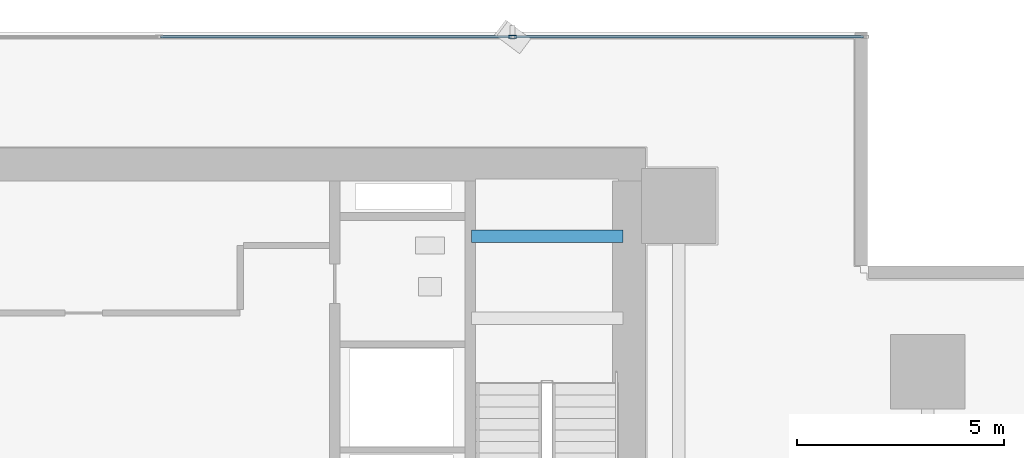
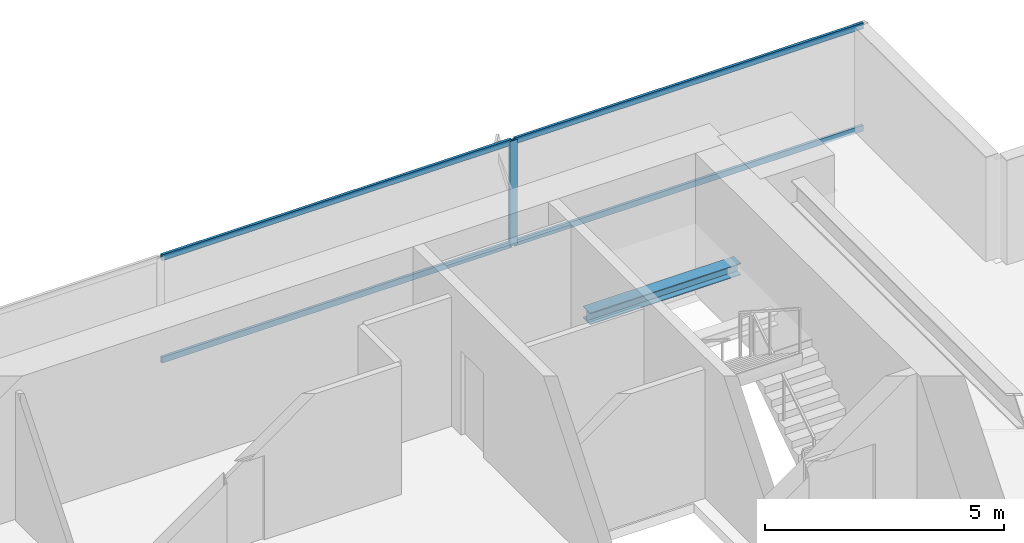
# One storey, part 22 of 33: 5 members, 1 beam, 1 element without a shape of its own.
"""IFC4 building model written with IfcOpenShell, lengths in metres."""

from ifc_helpers import new_model, si_unit, direction, frame, origin, origin_2d, place, context, subcontext, project, spatial, hollow_rectangle, i_section, extrude, source, transform, mapped, material, layer, layer_set, material_profile, profile_set, type_object, element, aggregate, save


model = new_model("IFC4")

# Units and contexts
model_context = context("Model", 3, precision=1e-05, world=origin(), true_north=direction((0.0, 1.0)))
body_context = subcontext(model_context, "Body", "Model", "MODEL_VIEW")
ifc_project = project(units=[si_unit("LENGTHUNIT", "METRE"), si_unit("AREAUNIT", "SQUARE_METRE"), si_unit("VOLUMEUNIT", "CUBIC_METRE"), si_unit("PLANEANGLEUNIT", "RADIAN"), si_unit("MASSUNIT", "GRAM", prefix="KILO")], contexts=[model_context])

# Site, building, storey
site_placement = place(None, origin())
site = spatial("IfcSite", under=ifc_project, at=site_placement, CompositionType="ELEMENT")
building_placement = place(site_placement, origin())
building = spatial("IfcBuilding", under=site, at=building_placement, Name="Sumidabori Civic Tower", CompositionType="ELEMENT")
storey_placement = place(building_placement, frame((0.0, 0.0, 66.800048828125)))
storey = spatial("IfcBuildingStorey", under=building, at=storey_placement, Name="L17", CompositionType="ELEMENT", Elevation=66.800048828125)

# Beam
ifc_material_1 = material(Name="Steel SN490", Category="steel")
ifc_material_profile_1 = material_profile(ifc_material_1, i_section(OverallWidth=0.300048828125, OverallDepth=0.300048828125, WebThickness=0.010986328125, FlangeThickness=0.01904296875, at=origin_2d()), Name="HE 300 B")
ifc_profile_set_1 = profile_set([ifc_material_profile_1], Name="Steel SN490")
beam_type = type_object("IfcBeamType", Name="BM-LDG-300", PredefinedType="BEAM", material=ifc_profile_set_1)
shared_shape_1 = source(origin(), body_context, "Body", "SweptSolid", [
    extrude(i_section(OverallWidth=0.300048828125, OverallDepth=0.300048828125, WebThickness=0.010986328125, FlangeThickness=0.01904296875, at=origin_2d()), origin(), (0.0, 0.0, 1.0), 3.64990234375),
])
beam_placement = place(storey_placement, frame((11.800048828125, 22.069580078125, 1.449951171875), z_axis=(1.0, 0.0, 0.0), x_axis=(0.0, 1.0, 0.0)))
element("IfcBeam", 1, at=beam_placement, inside=storey, type_object=beam_type, Name="Stair ST-2 Landing Trimmer Beam L17-1B", PredefinedType="BEAM", context=body_context, shape_type="MappedRepresentation", body=[
    mapped(shared_shape_1, transform((0.0, 0.0, 0.0), x_axis=(1.0, 0.0, 0.0), y_axis=(0.0, 1.0, 0.0), z_axis=(0.0, 0.0, 1.0), scale=1.0)),
])

# Curtain wall, members
ifc_material_2 = material(Name="Anodised Bronze Aluminium AW-6063-T6", Category="aluminium")
ifc_layer = layer(ifc_material_2, 0.179931640625, Name="Anodised Bronze Aluminium AW-6063-T6")
ifc_layer_set = layer_set([ifc_layer], Name="Anodised Bronze Aluminium AW-6063-T6")
curtain_wall_type = type_object("IfcCurtainWallType", Name="CW-SYS-2", PredefinedType="NOTDEFINED", material=ifc_layer_set)
curtain_wall_placement = place(storey_placement, origin())
curtain_wall = element("IfcCurtainWall", 2, at=curtain_wall_placement, inside=storey, type_object=curtain_wall_type, Name="Curtain Wall CW:L17:R07", PredefinedType="NOTDEFINED")
ifc_material_profile_2 = material_profile(ifc_material_2, hollow_rectangle(XDim=0.06494140625, YDim=0.14990234375, WallThickness=0.0048828125, at=origin_2d()), Name="ALU TRANSOM 150x65")
ifc_profile_set_2 = profile_set([ifc_material_profile_2], Name="Anodised Bronze Aluminium AW-6063-T6")
member_type_1 = type_object("IfcMemberType", Name="CW-TRN-150", PredefinedType="USERDEFINED", material=ifc_profile_set_2)
shared_shape_2 = source(origin(), body_context, "Body", "SweptSolid", [
    extrude(hollow_rectangle(XDim=0.06494140625, YDim=0.14990234375, WallThickness=0.0048828125, at=origin_2d()), origin(), (0.0, 0.0, 1.0), 8.423095703125),
])
member_1_placement = place(storey_placement, frame((21.25, 26.8798828125, 0.032470703125), z_axis=(-1.0, 0.0, 0.0), x_axis=(0.0, -1.0, 0.0)))
member_1 = element("IfcMember", 3, at=member_1_placement, type_object=member_type_1, Name="CW-2 transom 1.1", ObjectType="TRANSOM", PredefinedType="USERDEFINED", context=body_context, shape_type="MappedRepresentation", body=[
    mapped(shared_shape_2, transform((0.0, 0.0, 0.0), x_axis=(1.0, 0.0, 0.0), y_axis=(0.0, 1.0, 0.0), z_axis=(0.0, 0.0, 1.0), scale=1.0)),
])
member_2_placement = place(storey_placement, frame((21.25, 26.8798828125, 2.6474609375), z_axis=(-1.0, 0.0, 0.0), x_axis=(0.0, -1.0, 0.0)))
member_2 = element("IfcMember", 4, at=member_2_placement, type_object=member_type_1, Name="CW-2 transom 1.2", ObjectType="TRANSOM", PredefinedType="USERDEFINED", context=body_context, shape_type="MappedRepresentation", body=[
    mapped(shared_shape_2, transform((0.0, 0.0, 0.0), x_axis=(1.0, 0.0, 0.0), y_axis=(0.0, 1.0, 0.0), z_axis=(0.0, 0.0, 1.0), scale=1.0)),
])
shared_shape_3 = source(origin(), body_context, "Body", "SweptSolid", [
    extrude(hollow_rectangle(XDim=0.06494140625, YDim=0.14990234375, WallThickness=0.0048828125, at=origin_2d()), origin(), (0.0, 0.0, 1.0), 8.4580078125),
])
member_3_placement = place(storey_placement, frame((12.757080078125, 26.8798828125, 0.032470703125), z_axis=(-1.0, 0.0, 0.0), x_axis=(0.0, -1.0, 0.0)))
member_3 = element("IfcMember", 5, at=member_3_placement, type_object=member_type_1, Name="CW-2 transom 2.1", ObjectType="TRANSOM", PredefinedType="USERDEFINED", context=body_context, shape_type="MappedRepresentation", body=[
    mapped(shared_shape_3, transform((0.0, 0.0, 0.0), x_axis=(1.0, 0.0, 0.0), y_axis=(0.0, 1.0, 0.0), z_axis=(0.0, 0.0, 1.0), scale=1.0)),
])
member_4_placement = place(storey_placement, frame((12.757080078125, 26.8798828125, 2.6474609375), z_axis=(-1.0, 0.0, 0.0), x_axis=(0.0, -1.0, 0.0)))
member_4 = element("IfcMember", 6, at=member_4_placement, type_object=member_type_1, Name="CW-2 transom 2.2", ObjectType="TRANSOM", PredefinedType="USERDEFINED", context=body_context, shape_type="MappedRepresentation", body=[
    mapped(shared_shape_3, transform((0.0, 0.0, 0.0), x_axis=(1.0, 0.0, 0.0), y_axis=(0.0, 1.0, 0.0), z_axis=(0.0, 0.0, 1.0), scale=1.0)),
])
ifc_material_profile_3 = material_profile(ifc_material_2, hollow_rectangle(XDim=0.070068359375, YDim=0.179931640625, WallThickness=0.006103515625, at=origin_2d()), Name="ALU MULLION 180x70")
ifc_profile_set_3 = profile_set([ifc_material_profile_3], Name="Anodised Bronze Aluminium AW-6063-T6")
member_type_2 = type_object("IfcMemberType", Name="CW-MUL-180", PredefinedType="MULLION", material=ifc_profile_set_3)
shared_shape_4 = source(origin(), body_context, "Body", "SweptSolid", [
    extrude(hollow_rectangle(XDim=0.070068359375, YDim=0.179931640625, WallThickness=0.006103515625, at=origin_2d()), origin(), (0.0, 0.0, 1.0), 2.679931640625),
])
member_5_placement = place(storey_placement, frame((12.7919921875, 26.8798828125, 0.0), z_axis=(0.0, 0.0, 1.0), x_axis=(0.0, -1.0, 0.0)))
member_5 = element("IfcMember", 7, at=member_5_placement, type_object=member_type_2, Name="CW-2 mullion 2", PredefinedType="MULLION", context=body_context, shape_type="MappedRepresentation", body=[
    mapped(shared_shape_4, transform((0.0, 0.0, 0.0), x_axis=(1.0, 0.0, 0.0), y_axis=(0.0, 1.0, 0.0), z_axis=(0.0, 0.0, 1.0), scale=1.0)),
])
aggregate(curtain_wall, [member_5, member_1, member_2, member_3, member_4])

save(model, "model.ifc")
